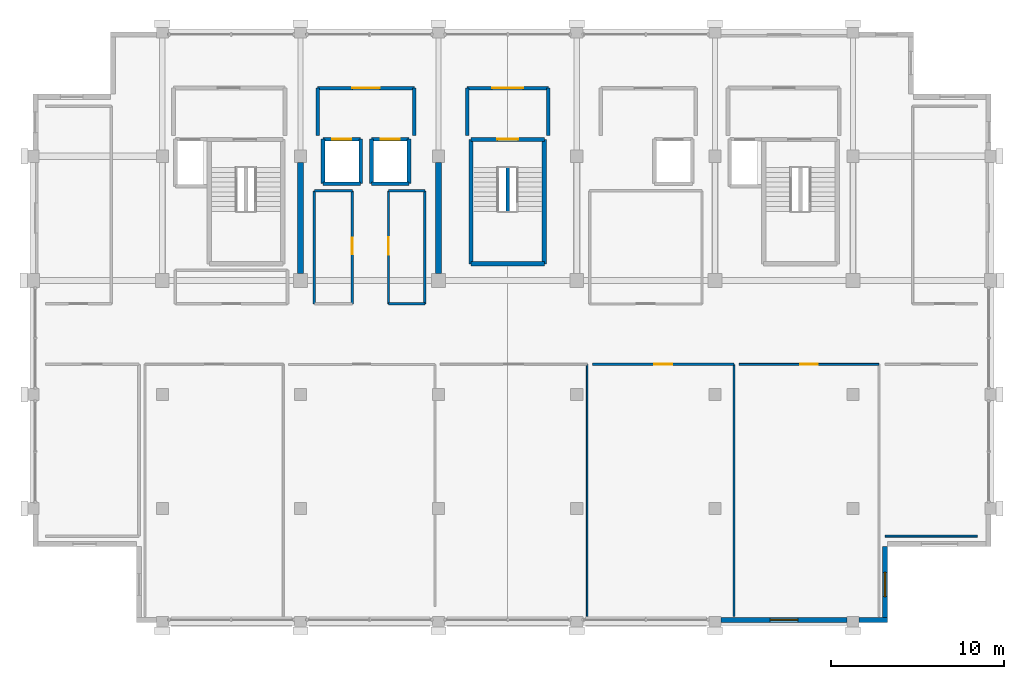
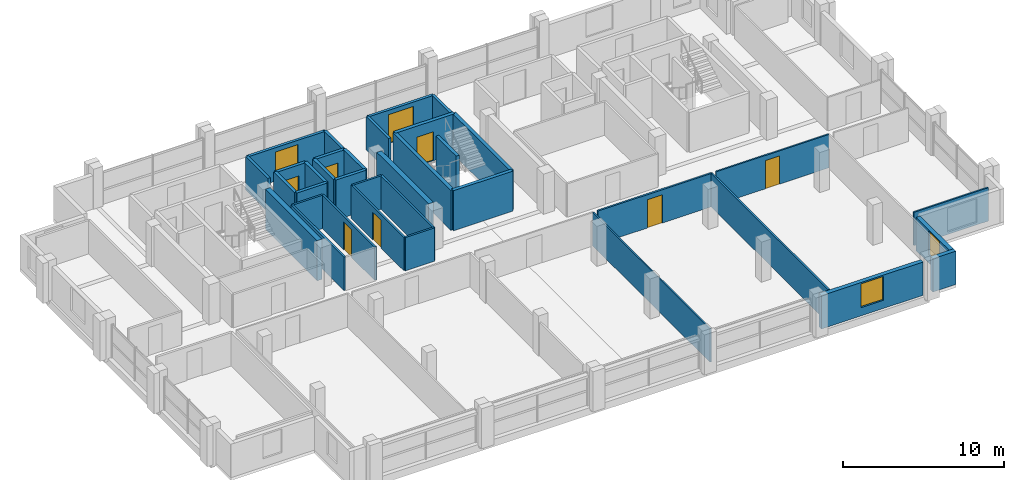
# One storey, part 21 of 24: 36 walls, 9 doors, 2 windows, 11 openings.
"""IFC4 building model written with IfcOpenShell, lengths in metres."""

from ifc_helpers import new_model, si_unit, direction, frame, frame_2d, origin, place, context, subcontext, project, spatial, rectangle, extrude, material, layer, layer_set, type_object, element, fill, save


model = new_model("IFC4")

# Units and contexts
model_context = context("Model", 3, precision=1e-05, world=origin(), true_north=direction((0.0, 1.0)))
body_context = subcontext(model_context, "Body", "Model", "MODEL_VIEW")
ifc_project = project(units=[si_unit("LENGTHUNIT", "METRE"), si_unit("AREAUNIT", "SQUARE_METRE"), si_unit("VOLUMEUNIT", "CUBIC_METRE"), si_unit("PLANEANGLEUNIT", "RADIAN"), si_unit("MASSUNIT", "GRAM", prefix="KILO")], contexts=[model_context])

# Site, building, storey
site_placement = place(None, origin())
site = spatial("IfcSite", under=ifc_project, at=site_placement, CompositionType="ELEMENT")
building_placement = place(site_placement, origin())
building = spatial("IfcBuilding", under=site, at=building_placement, Name="Akrevak Sports Hall", CompositionType="ELEMENT")
storey_placement = place(building_placement, frame((0.0, 0.0, 56.800048828125)))
storey = spatial("IfcBuildingStorey", under=building, at=storey_placement, Name="L14", CompositionType="ELEMENT", Elevation=56.800048828125)

# Wall, opening, window
ifc_material_1 = material(Name="Limestone Ashlar", Category="stone")
ifc_layer_1 = layer(ifc_material_1, 0.06005859375, Name="Limestone Ashlar")
ifc_material_2 = material(Name="Mineral Wool Thermal Insulation", Category="insulation")
ifc_layer_2 = layer(ifc_material_2, 0.090087890625, Name="Mineral Wool Thermal Insulation")
ifc_material_3 = material(Name="Concrete C40/50", Category="concrete")
ifc_layer_3 = layer(ifc_material_3, 0.14990234375, Name="Concrete C40/50")
ifc_layer_set_1 = layer_set([ifc_layer_1, ifc_layer_2, ifc_layer_3], Name="Limestone Ashlar / Mineral Wool Thermal Insulation / Concrete C40/50")
wall_type_1 = type_object("IfcWallType", Name="ARC-WL-EXT-300", PredefinedType="SOLIDWALL", material=ifc_layer_set_1)
wall_1_placement = place(storey_placement, frame((92.35009765625, 35.550048828125, 0.0), z_axis=(0.0, 0.0, 1.0), x_axis=(1.0, 0.0, 0.0)))
wall_1 = element("IfcWall", 1, at=wall_1_placement, inside=storey, type_object=wall_type_1, Name="Tower Stone Facade Wall L14-S06", PredefinedType="SOLIDWALL", context=body_context, shape_type="SweptSolid", body=[
    extrude(rectangle(XDim=7.2998046875, YDim=0.300048828125, at=frame_2d((3.64990234375, 0.0))), origin(), (0.0, 0.0, 1.0), 2.530029296875),
])
opening_1_placement = place(wall_1_placement, frame((2.85009765625, 0.0, 0.6201171875)))
opening_1 = element("IfcOpeningElement", 2, at=opening_1_placement, cuts=wall_1, Name="Opening WN-57", PredefinedType="OPENING", context=body_context, shape_type="SweptSolid", body=[
    extrude(rectangle(XDim=1.60009765625, YDim=1.81005859375, at=frame_2d((0.800048828125, 0.905029296875))), frame((0.0, 0.162109375, 0.0), z_axis=(0.0, -1.0, 0.0), x_axis=(1.0, 0.0, 0.0)), (0.0, 0.0, 1.0), 0.323974609375),
])
ifc_material_4 = material(Name="Thermally Broken Bronze Frame & Double Low-E Glass", Category="glass")
window_type_1 = type_object("IfcWindowType", Name="ARC-WIN-SZ-1600x1810", PartitioningType="SINGLE_PANEL", PredefinedType="WINDOW", material=ifc_material_4)
window_1_placement = place(opening_1_placement, origin())
window_1 = element("IfcWindow", 3, at=window_1_placement, inside=storey, type_object=window_type_1, Name="Tower Window L14-S06", OverallHeight=1.81005859375, OverallWidth=1.60009765625, PartitioningType="SINGLE_PANEL", PredefinedType="WINDOW", context=body_context, shape_type="SweptSolid", body=[
    extrude(rectangle(XDim=1.60009765625, YDim=1.81005859375, at=frame_2d((0.800048828125, 0.905029296875))), frame((0.0, 0.030029296875, 0.0), z_axis=(0.0, -1.0, 0.0), x_axis=(1.0, 0.0, 0.0)), (0.0, 0.0, 1.0), 0.06005859375),
])
fill(opening_1, window_1)

# Wall
wall_2_placement = place(storey_placement, frame((100.35009765625, 35.550048828125, 0.0), z_axis=(0.0, 0.0, 1.0), x_axis=(1.0, 0.0, 0.0)))
element("IfcWall", 4, at=wall_2_placement, inside=storey, type_object=wall_type_1, Name="Tower Stone Facade Wall L14-S07", PredefinedType="SOLIDWALL", context=body_context, shape_type="SweptSolid", body=[
    extrude(rectangle(XDim=1.64990234375, YDim=0.300048828125, at=frame_2d((0.824951171875, 0.0))), origin(), (0.0, 0.0, 1.0), 2.530029296875),
])

# Wall, opening, window
wall_3_placement = place(storey_placement, frame((101.85009765625, 35.39990234375, 0.0), z_axis=(0.0, 0.0, 1.0), x_axis=(0.0, 1.0, 0.0)))
wall_3 = element("IfcWall", 5, at=wall_3_placement, inside=storey, type_object=wall_type_1, Name="Tower Stone Facade Wall L14-E08", PredefinedType="SOLIDWALL", context=body_context, shape_type="SweptSolid", body=[
    extrude(rectangle(XDim=4.400146484375, YDim=0.300048828125, at=frame_2d((2.2001953125, 0.0))), origin(), (0.0, 0.0, 1.0), 2.530029296875),
])
opening_2_placement = place(wall_3_placement, frame((1.5, 0.0, 0.6201171875)))
opening_2 = element("IfcOpeningElement", 6, at=opening_2_placement, cuts=wall_3, Name="Opening WN-49", PredefinedType="OPENING", context=body_context, shape_type="SweptSolid", body=[
    extrude(rectangle(XDim=1.39990234375, YDim=1.81005859375, at=frame_2d((0.699951171875, 0.905029296875))), frame((0.0, 0.162109375, 0.0), z_axis=(0.0, -1.0, 0.0), x_axis=(1.0, 0.0, 0.0)), (0.0, 0.0, 1.0), 0.323974609375),
])
window_type_2 = type_object("IfcWindowType", Name="ARC-WIN-SZ-1400x1810", PartitioningType="SINGLE_PANEL", PredefinedType="WINDOW", material=ifc_material_4)
window_2_placement = place(opening_2_placement, origin())
window_2 = element("IfcWindow", 7, at=window_2_placement, inside=storey, type_object=window_type_2, Name="Tower Window L14-E08", OverallHeight=1.81005859375, OverallWidth=1.39990234375, PartitioningType="SINGLE_PANEL", PredefinedType="WINDOW", context=body_context, shape_type="SweptSolid", body=[
    extrude(rectangle(XDim=1.39990234375, YDim=1.81005859375, at=frame_2d((0.699951171875, 0.905029296875))), frame((0.0, 0.030029296875, 0.0), z_axis=(0.0, -1.0, 0.0), x_axis=(1.0, 0.0, 0.0)), (0.0, 0.0, 1.0), 0.06005859375),
])
fill(opening_2, window_2)

# Wall
ifc_material_5 = material(Name="Sanitary Cubicle Partition", Category="gypsum")
ifc_layer_4 = layer(ifc_material_5, 0.10009765625, Name="Sanitary Cubicle Partition")
ifc_layer_set_2 = layer_set([ifc_layer_4], Name="Sanitary Cubicle Partition")
wall_type_2 = type_object("IfcWallType", Name="ARC-WL-PRT-100", PredefinedType="PARTITIONING", material=ifc_layer_set_2)
wall_4_placement = place(storey_placement, frame((84.60009765625, 35.75, 0.0), z_axis=(0.0, 0.0, 1.0), x_axis=(0.0, 1.0, 0.0)))
element("IfcWall", 8, at=wall_4_placement, inside=storey, type_object=wall_type_2, Name="Interior Partition Youth Sports Development Academy (L14) (E)", PredefinedType="PARTITIONING", context=body_context, shape_type="SweptSolid", body=[
    extrude(rectangle(XDim=14.60009765625, YDim=0.10009765625, at=frame_2d((7.300048828125, 0.0))), origin(), (0.0, 0.0, 1.0), 2.530029296875),
])

# Wall, opening, door
ifc_material_6 = material(Name="Lightweight Office Partition", Category="gypsum")
ifc_layer_5 = layer(ifc_material_6, 0.110107421875, Name="Lightweight Office Partition")
ifc_layer_set_3 = layer_set([ifc_layer_5], Name="Lightweight Office Partition")
wall_type_3 = type_object("IfcWallType", Name="ARC-WL-PRT-110", PredefinedType="PARTITIONING", material=ifc_layer_set_3)
wall_5_placement = place(storey_placement, frame((93.39990234375, 50.35009765625, 0.0), z_axis=(0.0, 0.0, 1.0), x_axis=(1.0, 0.0, 0.0)))
wall_5 = element("IfcWall", 9, at=wall_5_placement, inside=storey, type_object=wall_type_3, Name="Interior Partition Disciplinary Tribunal Chamber (L14) (N)", PredefinedType="PARTITIONING", context=body_context, shape_type="SweptSolid", body=[
    extrude(rectangle(XDim=8.10009765625, YDim=0.110107421875, at=frame_2d((4.050048828125, 0.0))), origin(), (0.0, 0.0, 1.0), 2.530029296875),
])
opening_3_placement = place(wall_5_placement, frame((3.550048828125, 0.0, 0.0)))
opening_3 = element("IfcOpeningElement", 10, at=opening_3_placement, cuts=wall_5, Name="Opening ID-06", PredefinedType="OPENING", context=body_context, shape_type="SweptSolid", body=[
    extrude(rectangle(XDim=1.0, YDim=2.14990234375, at=frame_2d((0.5, 1.074951171875))), frame((0.0, 0.06689453125, 0.0), z_axis=(0.0, -1.0, 0.0), x_axis=(1.0, 0.0, 0.0)), (0.0, 0.0, 1.0), 0.134033203125),
])
ifc_material_7 = material(Name="Hardwood Oak Acoustic Leaf", Category="wood")
door_type_1 = type_object("IfcDoorType", Name="ARC-DR-OFF-100x215", OperationType="NOTDEFINED", PredefinedType="DOOR", material=ifc_material_7)
door_1_placement = place(opening_3_placement, origin())
door_1 = element("IfcDoor", 11, at=door_1_placement, inside=storey, type_object=door_type_1, Name="Door to Disciplinary Tribunal Chamber (L14)", OperationType="SINGLE_SWING_LEFT", OverallHeight=2.14990234375, OverallWidth=1.0, PredefinedType="DOOR", context=body_context, shape_type="SweptSolid", body=[
    extrude(rectangle(XDim=1.0, YDim=2.14990234375, at=frame_2d((0.5, 1.074951171875))), frame((0.0, 0.02490234375, 0.0), z_axis=(0.0, -1.0, 0.0), x_axis=(1.0, 0.0, 0.0)), (0.0, 0.0, 1.0), 0.050048828125),
])
fill(opening_3, door_1)

# Wall
wall_6_placement = place(storey_placement, frame((101.85009765625, 40.39990234375, 0.0), z_axis=(0.0, 0.0, 1.0), x_axis=(1.0, 0.0, 0.0)))
element("IfcWall", 12, at=wall_6_placement, inside=storey, type_object=wall_type_3, Name="Interior Partition Athletic Compliance Office East (L14) (S)", PredefinedType="PARTITIONING", context=body_context, shape_type="SweptSolid", body=[
    extrude(rectangle(XDim=5.349853515625, YDim=0.110107421875, at=frame_2d((2.6748046875, 0.0))), origin(), (0.0, 0.0, 1.0), 2.530029296875),
])

# Wall, opening, door
ifc_material_8 = material(Name="Acoustic Metal Stud Partition", Category="gypsum")
ifc_layer_6 = layer(ifc_material_8, 0.1298828125, Name="Acoustic Metal Stud Partition")
ifc_layer_set_4 = layer_set([ifc_layer_6], Name="Acoustic Metal Stud Partition")
wall_type_4 = type_object("IfcWallType", Name="ARC-WL-PRT-130", PredefinedType="PARTITIONING", material=ifc_layer_set_4)
wall_7_placement = place(storey_placement, frame((84.89990234375, 50.35009765625, 0.0), z_axis=(0.0, 0.0, 1.0), x_axis=(1.0, 0.0, 0.0)))
wall_7 = element("IfcWall", 13, at=wall_7_placement, inside=storey, type_object=wall_type_4, Name="Interior Partition Coaching Certification Classroom (L14) (N)", PredefinedType="PARTITIONING", context=body_context, shape_type="SweptSolid", body=[
    extrude(rectangle(XDim=8.2001953125, YDim=0.1298828125, at=frame_2d((4.10009765625, 0.0))), origin(), (0.0, 0.0, 1.0), 2.530029296875),
])
opening_4_placement = place(wall_7_placement, frame((3.574951171875, 0.0, 0.0)))
opening_4 = element("IfcOpeningElement", 14, at=opening_4_placement, cuts=wall_7, Name="Opening ID-05", PredefinedType="OPENING", context=body_context, shape_type="SweptSolid", body=[
    extrude(rectangle(XDim=1.050048828125, YDim=2.14990234375, at=frame_2d((0.52490234375, 1.074951171875))), frame((0.0, 0.076904296875, 0.0), z_axis=(0.0, -1.0, 0.0), x_axis=(1.0, 0.0, 0.0)), (0.0, 0.0, 1.0), 0.15380859375),
])
door_type_2 = type_object("IfcDoorType", Name="ARC-DR-OFF-105x215", OperationType="NOTDEFINED", PredefinedType="DOOR", material=ifc_material_7)
door_2_placement = place(opening_4_placement, origin())
door_2 = element("IfcDoor", 15, at=door_2_placement, inside=storey, type_object=door_type_2, Name="Door to Coaching Certification Classroom (L14)", OperationType="SINGLE_SWING_RIGHT", OverallHeight=2.14990234375, OverallWidth=1.050048828125, PredefinedType="DOOR", context=body_context, shape_type="SweptSolid", body=[
    extrude(rectangle(XDim=1.050048828125, YDim=2.14990234375, at=frame_2d((0.52490234375, 1.074951171875))), frame((0.0, 0.02490234375, 0.0), z_axis=(0.0, -1.0, 0.0), x_axis=(1.0, 0.0, 0.0)), (0.0, 0.0, 1.0), 0.050048828125),
])
fill(opening_4, door_2)

# Walls
wall_8_placement = place(storey_placement, frame((93.10009765625, 35.75, 0.0), z_axis=(0.0, 0.0, 1.0), x_axis=(0.0, 1.0, 0.0)))
element("IfcWall", 16, at=wall_8_placement, inside=storey, type_object=wall_type_4, Name="Interior Partition Coaching Certification Classroom (L14) (E)", PredefinedType="PARTITIONING", context=body_context, shape_type="SweptSolid", body=[
    extrude(rectangle(XDim=14.60009765625, YDim=0.1298828125, at=frame_2d((7.300048828125, 0.0))), origin(), (0.0, 0.0, 1.0), 2.530029296875),
])
ifc_material_9 = material(Name="Moisture-Resistant Wet-Area Partition", Category="gypsum")
ifc_layer_7 = layer(ifc_material_9, 0.139892578125, Name="Moisture-Resistant Wet-Area Partition")
ifc_layer_set_5 = layer_set([ifc_layer_7], Name="Moisture-Resistant Wet-Area Partition")
wall_type_5 = type_object("IfcWallType", Name="ARC-WL-PRT-140", PredefinedType="PARTITIONING", material=ifc_layer_set_5)
wall_9_placement = place(storey_placement, frame((68.800048828125, 60.39990234375, 0.0), z_axis=(0.0, 0.0, 1.0), x_axis=(1.0, 0.0, 0.0)))
element("IfcWall", 17, at=wall_9_placement, inside=storey, type_object=wall_type_5, Name="Interior Partition Staff WC L14 (N)", PredefinedType="PARTITIONING", context=body_context, shape_type="SweptSolid", body=[
    extrude(rectangle(XDim=2.199951171875, YDim=0.139892578125, at=frame_2d((1.10009765625, 0.0))), origin(), (0.0, 0.0, 1.0), 2.530029296875),
])
wall_10_placement = place(storey_placement, frame((68.800048828125, 53.85009765625, 0.0), z_axis=(0.0, 0.0, 1.0), x_axis=(0.0, 1.0, 0.0)))
element("IfcWall", 18, at=wall_10_placement, inside=storey, type_object=wall_type_5, Name="Interior Partition Staff WC L14 (W)", PredefinedType="PARTITIONING", context=body_context, shape_type="SweptSolid", body=[
    extrude(rectangle(XDim=6.5498046875, YDim=0.139892578125, at=frame_2d((3.27490234375, 0.0))), origin(), (0.0, 0.0, 1.0), 2.530029296875),
])

# Wall, opening, door
wall_11_placement = place(storey_placement, frame((71.0, 53.85009765625, 0.0), z_axis=(0.0, 0.0, 1.0), x_axis=(0.0, 1.0, 0.0)))
wall_11 = element("IfcWall", 19, at=wall_11_placement, inside=storey, type_object=wall_type_5, Name="Interior Partition Staff WC L14 (E)", PredefinedType="PARTITIONING", context=body_context, shape_type="SweptSolid", body=[
    extrude(rectangle(XDim=6.5498046875, YDim=0.139892578125, at=frame_2d((3.27490234375, 0.0))), origin(), (0.0, 0.0, 1.0), 2.530029296875),
])
opening_5_placement = place(wall_11_placement, frame((2.875, 0.0, 0.0)))
opening_5 = element("IfcOpeningElement", 20, at=opening_5_placement, cuts=wall_11, Name="Opening ID-08", PredefinedType="OPENING", context=body_context, shape_type="SweptSolid", body=[
    extrude(rectangle(XDim=0.949951171875, YDim=2.10009765625, at=frame_2d((0.47509765625, 1.050048828125))), frame((0.0, 0.08203125, 0.0), z_axis=(0.0, -1.0, 0.0), x_axis=(1.0, 0.0, 0.0)), (0.0, 0.0, 1.0), 0.163818359375),
])
ifc_material_10 = material(Name="High-Pressure Laminate & Aluminium", Category="aluminium")
door_type_3 = type_object("IfcDoorType", Name="ARC-DR-WC-095x210", OperationType="NOTDEFINED", PredefinedType="DOOR", material=ifc_material_10)
door_3_placement = place(opening_5_placement, origin())
door_3 = element("IfcDoor", 21, at=door_3_placement, inside=storey, type_object=door_type_3, Name="Door to Staff WC L14", OperationType="SINGLE_SWING_LEFT", OverallHeight=2.10009765625, OverallWidth=0.949951171875, PredefinedType="DOOR", context=body_context, shape_type="SweptSolid", body=[
    extrude(rectangle(XDim=0.949951171875, YDim=2.10009765625, at=frame_2d((0.47509765625, 1.050048828125))), frame((0.0, 0.02490234375, 0.0), z_axis=(0.0, -1.0, 0.0), x_axis=(1.0, 0.0, 0.0)), (0.0, 0.0, 1.0), 0.050048828125),
])
fill(opening_5, door_3)

# Walls
for number, where, z_axis, x_axis, name in (
    (22, (73.10009765625, 53.85009765625, 0.0), (0.0, 0.0, 1.0), (1.0, 0.0, 0.0), "Interior Partition Accessible WC & Shower L14 (S)"),
    (23, (73.10009765625, 60.39990234375, 0.0), (0.0, 0.0, 1.0), (1.0, 0.0, 0.0), "Interior Partition Accessible WC & Shower L14 (N)"),
):
    element("IfcWall", number, at=place(storey_placement, frame(where, z_axis=z_axis, x_axis=x_axis)), inside=storey, type_object=wall_type_5, Name=name, PredefinedType="PARTITIONING", context=body_context, shape_type="SweptSolid", body=[
        extrude(rectangle(XDim=2.099853515625, YDim=0.139892578125, at=frame_2d((1.0498046875, 0.0))), origin(), (0.0, 0.0, 1.0), 2.530029296875),
    ])

# Wall, opening, door
wall_12_placement = place(storey_placement, frame((73.10009765625, 53.85009765625, 0.0), z_axis=(0.0, 0.0, 1.0), x_axis=(0.0, 1.0, 0.0)))
wall_12 = element("IfcWall", 24, at=wall_12_placement, inside=storey, type_object=wall_type_5, Name="Interior Partition Accessible WC & Shower L14 (W)", PredefinedType="PARTITIONING", context=body_context, shape_type="SweptSolid", body=[
    extrude(rectangle(XDim=6.5498046875, YDim=0.139892578125, at=frame_2d((3.27490234375, 0.0))), origin(), (0.0, 0.0, 1.0), 2.530029296875),
])
opening_6_placement = place(wall_12_placement, frame((2.840087890625, 0.0, 0.0)))
opening_6 = element("IfcOpeningElement", 25, at=opening_6_placement, cuts=wall_12, Name="Opening ID-09", PredefinedType="OPENING", context=body_context, shape_type="SweptSolid", body=[
    extrude(rectangle(XDim=1.02001953125, YDim=2.10009765625, at=frame_2d((0.510009765625, 1.050048828125))), frame((0.0, 0.08203125, 0.0), z_axis=(0.0, -1.0, 0.0), x_axis=(1.0, 0.0, 0.0)), (0.0, 0.0, 1.0), 0.163818359375),
])
door_type_4 = type_object("IfcDoorType", Name="ARC-DR-AWC-102x210", OperationType="NOTDEFINED", PredefinedType="DOOR", material=ifc_material_10)
door_4_placement = place(opening_6_placement, frame((1.02001953125, 0.0, 0.0), z_axis=(0.0, 0.0, 1.0), x_axis=(-1.0, 0.0, 0.0)))
door_4 = element("IfcDoor", 26, at=door_4_placement, inside=storey, type_object=door_type_4, Name="Door to Accessible WC & Shower L14", OperationType="SINGLE_SWING_RIGHT", OverallHeight=2.10009765625, OverallWidth=1.02001953125, PredefinedType="DOOR", context=body_context, shape_type="SweptSolid", body=[
    extrude(rectangle(XDim=1.02001953125, YDim=2.10009765625, at=frame_2d((0.510009765625, 1.050048828125))), frame((0.0, 0.02490234375, 0.0), z_axis=(0.0, -1.0, 0.0), x_axis=(1.0, 0.0, 0.0)), (0.0, 0.0, 1.0), 0.050048828125),
])
fill(opening_6, door_4)

# Wall
wall_13_placement = place(storey_placement, frame((75.199951171875, 53.85009765625, 0.0), z_axis=(0.0, 0.0, 1.0), x_axis=(0.0, 1.0, 0.0)))
element("IfcWall", 27, at=wall_13_placement, inside=storey, type_object=wall_type_5, Name="Interior Partition Accessible WC & Shower L14 (E)", PredefinedType="PARTITIONING", context=body_context, shape_type="SweptSolid", body=[
    extrude(rectangle(XDim=6.5498046875, YDim=0.139892578125, at=frame_2d((3.27490234375, 0.0))), origin(), (0.0, 0.0, 1.0), 2.530029296875),
])

# Wall, opening, door
ifc_material_11 = material(Name="Autoclaved Aerated Masonry Block", Category="masonry")
ifc_layer_8 = layer(ifc_material_11, 0.199951171875, Name="Autoclaved Aerated Masonry Block")
ifc_layer_set_6 = layer_set([ifc_layer_8], Name="Autoclaved Aerated Masonry Block")
wall_type_6 = type_object("IfcWallType", Name="ARC-WL-PRT-200", PredefinedType="PARTITIONING", material=ifc_layer_set_6)
wall_14_placement = place(storey_placement, frame((69.0, 66.35009765625, 0.0), z_axis=(0.0, 0.0, 1.0), x_axis=(1.0, 0.0, 0.0)))
wall_14 = element("IfcWall", 28, at=wall_14_placement, inside=storey, type_object=wall_type_6, Name="Interior Partition West Passenger Lift Lobby L14 (N)", PredefinedType="PARTITIONING", context=body_context, shape_type="SweptSolid", body=[
    extrude(rectangle(XDim=5.60009765625, YDim=0.199951171875, at=frame_2d((2.800048828125, 0.0))), origin(), (0.0, 0.0, 1.0), 2.530029296875),
])
opening_7_placement = place(wall_14_placement, frame((2.0, 0.0, 0.0)))
opening_7 = element("IfcOpeningElement", 29, at=opening_7_placement, cuts=wall_14, Name="Opening ID-03", PredefinedType="OPENING", context=body_context, shape_type="SweptSolid", body=[
    extrude(rectangle(XDim=1.60009765625, YDim=2.199951171875, at=frame_2d((0.800048828125, 1.10009765625))), frame((0.0, 0.11181640625, 0.0), z_axis=(0.0, -1.0, 0.0), x_axis=(1.0, 0.0, 0.0)), (0.0, 0.0, 1.0), 0.223876953125),
])
ifc_material_12 = material(Name="Hardwood Oak & Safety Glass", Category="wood")
door_type_5 = type_object("IfcDoorType", Name="ARC-DR-HALL-160x220", OperationType="DOUBLE_DOOR_SINGLE_SWING", PredefinedType="DOOR", material=ifc_material_12)
door_5_placement = place(opening_7_placement, origin())
door_5 = element("IfcDoor", 30, at=door_5_placement, inside=storey, type_object=door_type_5, Name="Door to West Passenger Lift Lobby L14", OperationType="DOUBLE_DOOR_SINGLE_SWING", OverallHeight=2.199951171875, OverallWidth=1.60009765625, PredefinedType="DOOR", context=body_context, shape_type="SweptSolid", body=[
    extrude(rectangle(XDim=1.60009765625, YDim=2.199951171875, at=frame_2d((0.800048828125, 1.10009765625))), frame((0.0, 0.02490234375, 0.0), z_axis=(0.0, -1.0, 0.0), x_axis=(1.0, 0.0, 0.0)), (0.0, 0.0, 1.0), 0.050048828125),
])
fill(opening_7, door_5)

# Walls
for number, where, z_axis, x_axis, name in (
    (31, (69.0, 63.60009765625, 0.0), (0.0, 0.0, 1.0), (0.0, 1.0, 0.0), "Interior Partition West Passenger Lift Lobby L14 (W)"),
    (32, (74.60009765625, 63.60009765625, 0.0), (0.0, 0.0, 1.0), (0.0, 1.0, 0.0), "Interior Partition West Passenger Lift Lobby L14 (E)"),
):
    element("IfcWall", number, at=place(storey_placement, frame(where, z_axis=z_axis, x_axis=x_axis)), inside=storey, type_object=wall_type_6, Name=name, PredefinedType="PARTITIONING", context=body_context, shape_type="SweptSolid", body=[
        extrude(rectangle(XDim=2.75, YDim=0.199951171875, at=frame_2d((1.375, 0.0))), origin(), (0.0, 0.0, 1.0), 2.530029296875),
    ])

# Wall, opening, door
wall_15_placement = place(storey_placement, frame((77.64990234375, 66.35009765625, 0.0), z_axis=(0.0, 0.0, 1.0), x_axis=(1.0, 0.0, 0.0)))
wall_15 = element("IfcWall", 33, at=wall_15_placement, inside=storey, type_object=wall_type_6, Name="Interior Partition Central Stair ST3 Vestibule L14 (N)", PredefinedType="PARTITIONING", context=body_context, shape_type="SweptSolid", body=[
    extrude(rectangle(XDim=4.7001953125, YDim=0.199951171875, at=frame_2d((2.35009765625, 0.0))), origin(), (0.0, 0.0, 1.0), 2.530029296875),
])
opening_8_placement = place(wall_15_placement, frame((1.449951171875, 0.0, 0.0)))
opening_8 = element("IfcOpeningElement", 34, at=opening_8_placement, cuts=wall_15, Name="Opening FD-02", PredefinedType="OPENING", context=body_context, shape_type="SweptSolid", body=[
    extrude(rectangle(XDim=1.800048828125, YDim=2.199951171875, at=frame_2d((0.89990234375, 1.10009765625))), frame((0.0, 0.11181640625, 0.0), z_axis=(0.0, -1.0, 0.0), x_axis=(1.0, 0.0, 0.0)), (0.0, 0.0, 1.0), 0.223876953125),
])
ifc_material_13 = material(Name="Fire-Rated Galvanized Door Steel", Category="steel")
door_type_6 = type_object("IfcDoorType", Name="ARC-DR-FIRE-180x220", OperationType="DOUBLE_DOOR_SINGLE_SWING", PredefinedType="DOOR", material=ifc_material_13)
door_6_placement = place(opening_8_placement, frame((1.800048828125, 0.0, 0.0), z_axis=(0.0, 0.0, 1.0), x_axis=(-1.0, 0.0, 0.0)))
door_6 = element("IfcDoor", 35, at=door_6_placement, inside=storey, type_object=door_type_6, Name="Door to Central Stair ST3 Vestibule L14", OperationType="DOUBLE_DOOR_SINGLE_SWING", OverallHeight=2.199951171875, OverallWidth=1.800048828125, PredefinedType="DOOR", context=body_context, shape_type="SweptSolid", body=[
    extrude(rectangle(XDim=1.800048828125, YDim=2.199951171875, at=frame_2d((0.89990234375, 1.10009765625))), frame((0.0, 0.02490234375, 0.0), z_axis=(0.0, -1.0, 0.0), x_axis=(1.0, 0.0, 0.0)), (0.0, 0.0, 1.0), 0.050048828125),
])
fill(opening_8, door_6)

# Walls
for number, where, z_axis, x_axis, name in (
    (36, (77.64990234375, 63.60009765625, 0.0), (0.0, 0.0, 1.0), (0.0, 1.0, 0.0), "Interior Partition Central Stair ST3 Vestibule L14 (W)"),
    (37, (82.35009765625, 63.60009765625, 0.0), (0.0, 0.0, 1.0), (0.0, 1.0, 0.0), "Interior Partition Central Stair ST3 Vestibule L14 (E)"),
):
    element("IfcWall", number, at=place(storey_placement, frame(where, z_axis=z_axis, x_axis=x_axis)), inside=storey, type_object=wall_type_6, Name=name, PredefinedType="PARTITIONING", context=body_context, shape_type="SweptSolid", body=[
        extrude(rectangle(XDim=2.75, YDim=0.199951171875, at=frame_2d((1.375, 0.0))), origin(), (0.0, 0.0, 1.0), 2.530029296875),
    ])
ifc_layer_9 = layer(ifc_material_3, 0.219970703125, Name="Concrete C40/50")
ifc_layer_set_7 = layer_set([ifc_layer_9], Name="Concrete C40/50")
wall_type_7 = type_object("IfcWallType", Name="ARC-WL-PRT-220", PredefinedType="PARTITIONING", material=ifc_layer_set_7)
wall_16_placement = place(storey_placement, frame((80.0, 59.215087890625, 0.0), z_axis=(0.0, 0.0, 1.0), x_axis=(0.0, 1.0, 0.0)))
element("IfcWall", 38, at=wall_16_placement, inside=storey, type_object=wall_type_7, Name="Stair ST3 Central Spine Wall (L14)", PredefinedType="PARTITIONING", context=body_context, shape_type="SweptSolid", body=[
    extrude(rectangle(XDim=2.52001953125, YDim=0.219970703125, at=frame_2d((1.260009765625, 0.0))), origin(), (0.0, 0.0, 1.0), 3.0400390625),
])
ifc_material_14 = material(Name="Concrete C50/60", Category="concrete")
ifc_layer_10 = layer(ifc_material_14, 0.219970703125, Name="Concrete C50/60")
ifc_layer_set_8 = layer_set([ifc_layer_10], Name="Concrete C50/60")
wall_type_8 = type_object("IfcWallType", Name="ARC-WL-SHAFT-220", PredefinedType="SHEAR", material=ifc_layer_set_8)
wall_17_placement = place(storey_placement, frame((69.31005859375, 60.81005859375, 0.0), z_axis=(0.0, 0.0, 1.0), x_axis=(1.0, 0.0, 0.0)))
element("IfcWall", 39, at=wall_17_placement, inside=storey, type_object=wall_type_8, Name="Lift Shaft LF-P1 Wall S (L14)", PredefinedType="SHEAR", context=body_context, shape_type="SweptSolid", body=[
    extrude(rectangle(XDim=2.179931640625, YDim=0.219970703125, at=frame_2d((1.08984375, 0.0))), origin(), (0.0, 0.0, 1.0), 3.0400390625),
])

# Wall, opening, door
wall_18_placement = place(storey_placement, frame((71.489990234375, 63.389892578125, 0.0), z_axis=(0.0, 0.0, 1.0), x_axis=(-1.0, 0.0, 0.0)))
wall_18 = element("IfcWall", 40, at=wall_18_placement, inside=storey, type_object=wall_type_8, Name="Lift Shaft LF-P1 Wall N (L14)", PredefinedType="SHEAR", context=body_context, shape_type="SweptSolid", body=[
    extrude(rectangle(XDim=2.179931640625, YDim=0.219970703125, at=frame_2d((1.08984375, 0.0))), origin(), (0.0, 0.0, 1.0), 3.0400390625),
])
opening_9_placement = place(wall_18_placement, frame((0.5400390625, 0.0, 0.0)))
opening_9 = element("IfcOpeningElement", 41, at=opening_9_placement, cuts=wall_18, Name="Opening LD-01", PredefinedType="OPENING", context=body_context, shape_type="SweptSolid", body=[
    extrude(rectangle(XDim=1.10009765625, YDim=2.199951171875, at=frame_2d((0.550048828125, 1.10009765625))), frame((0.0, 0.1220703125, 0.0), z_axis=(0.0, -1.0, 0.0), x_axis=(1.0, 0.0, 0.0)), (0.0, 0.0, 1.0), 0.243896484375),
])
ifc_material_15 = material(Name="Brushed Stainless Steel 304", Category="steel")
door_type_7 = type_object("IfcDoorType", Name="ARC-DR-LD-110x220", OperationType="SLIDING_TO_LEFT", PredefinedType="DOOR", material=ifc_material_15)
door_7_placement = place(opening_9_placement, origin())
door_7 = element("IfcDoor", 42, at=door_7_placement, inside=storey, type_object=door_type_7, Name="Lift LF-P1 Sliding Landing Door (L14)", OperationType="SLIDING_TO_LEFT", OverallHeight=2.199951171875, OverallWidth=1.10009765625, PredefinedType="DOOR", context=body_context, shape_type="SweptSolid", body=[
    extrude(rectangle(XDim=1.10009765625, YDim=2.199951171875, at=frame_2d((0.550048828125, 1.10009765625))), frame((0.0, 0.02490234375, 0.0), z_axis=(0.0, -1.0, 0.0), x_axis=(1.0, 0.0, 0.0)), (0.0, 0.0, 1.0), 0.050048828125),
])
fill(opening_9, door_7)

# Walls
for number, where, z_axis, x_axis, name in (
    (43, (69.31005859375, 63.389892578125, 0.0), (0.0, 0.0, 1.0), (0.0, -1.0, 0.0), "Lift Shaft LF-P1 Wall W (L14)"),
    (44, (71.489990234375, 60.81005859375, 0.0), (0.0, 0.0, 1.0), (0.0, 1.0, 0.0), "Lift Shaft LF-P1 Wall E (L14)"),
):
    element("IfcWall", number, at=place(storey_placement, frame(where, z_axis=z_axis, x_axis=x_axis)), inside=storey, type_object=wall_type_8, Name=name, PredefinedType="SHEAR", context=body_context, shape_type="SweptSolid", body=[
        extrude(rectangle(XDim=2.579833984375, YDim=0.219970703125, at=frame_2d((1.2900390625, 0.0))), origin(), (0.0, 0.0, 1.0), 3.0400390625),
    ])
wall_19_placement = place(storey_placement, frame((72.110107421875, 60.81005859375, 0.0), z_axis=(0.0, 0.0, 1.0), x_axis=(1.0, 0.0, 0.0)))
element("IfcWall", 45, at=wall_19_placement, inside=storey, type_object=wall_type_8, Name="Lift Shaft LF-P2 Wall S (L14)", PredefinedType="SHEAR", context=body_context, shape_type="SweptSolid", body=[
    extrude(rectangle(XDim=2.179931640625, YDim=0.219970703125, at=frame_2d((1.08984375, 0.0))), origin(), (0.0, 0.0, 1.0), 3.0400390625),
])

# Wall, opening, door
wall_20_placement = place(storey_placement, frame((74.2900390625, 63.389892578125, 0.0), z_axis=(0.0, 0.0, 1.0), x_axis=(-1.0, 0.0, 0.0)))
wall_20 = element("IfcWall", 46, at=wall_20_placement, inside=storey, type_object=wall_type_8, Name="Lift Shaft LF-P2 Wall N (L14)", PredefinedType="SHEAR", context=body_context, shape_type="SweptSolid", body=[
    extrude(rectangle(XDim=2.179931640625, YDim=0.219970703125, at=frame_2d((1.08984375, 0.0))), origin(), (0.0, 0.0, 1.0), 3.0400390625),
])
opening_10_placement = place(wall_20_placement, frame((0.5400390625, 0.0, 0.0)))
opening_10 = element("IfcOpeningElement", 47, at=opening_10_placement, cuts=wall_20, Name="Opening LD-01", PredefinedType="OPENING", context=body_context, shape_type="SweptSolid", body=[
    extrude(rectangle(XDim=1.10009765625, YDim=2.199951171875, at=frame_2d((0.550048828125, 1.10009765625))), frame((0.0, 0.1220703125, 0.0), z_axis=(0.0, -1.0, 0.0), x_axis=(1.0, 0.0, 0.0)), (0.0, 0.0, 1.0), 0.243896484375),
])
door_8_placement = place(opening_10_placement, origin())
door_8 = element("IfcDoor", 48, at=door_8_placement, inside=storey, type_object=door_type_7, Name="Lift LF-P2 Sliding Landing Door (L14)", OperationType="SLIDING_TO_LEFT", OverallHeight=2.199951171875, OverallWidth=1.10009765625, PredefinedType="DOOR", context=body_context, shape_type="SweptSolid", body=[
    extrude(rectangle(XDim=1.10009765625, YDim=2.199951171875, at=frame_2d((0.550048828125, 1.10009765625))), frame((0.0, 0.02490234375, 0.0), z_axis=(0.0, -1.0, 0.0), x_axis=(1.0, 0.0, 0.0)), (0.0, 0.0, 1.0), 0.050048828125),
])
fill(opening_10, door_8)

# Walls
for number, where, z_axis, x_axis, name in (
    (49, (72.110107421875, 63.389892578125, 0.0), (0.0, 0.0, 1.0), (0.0, -1.0, 0.0), "Lift Shaft LF-P2 Wall W (L14)"),
    (50, (74.2900390625, 60.81005859375, 0.0), (0.0, 0.0, 1.0), (0.0, 1.0, 0.0), "Lift Shaft LF-P2 Wall E (L14)"),
):
    element("IfcWall", number, at=place(storey_placement, frame(where, z_axis=z_axis, x_axis=x_axis)), inside=storey, type_object=wall_type_8, Name=name, PredefinedType="SHEAR", context=body_context, shape_type="SweptSolid", body=[
        extrude(rectangle(XDim=2.579833984375, YDim=0.219970703125, at=frame_2d((1.2900390625, 0.0))), origin(), (0.0, 0.0, 1.0), 3.0400390625),
    ])
ifc_layer_11 = layer(ifc_material_14, 0.35009765625, Name="Concrete C50/60")
ifc_layer_set_9 = layer_set([ifc_layer_11], Name="Concrete C50/60")
wall_type_9 = type_object("IfcWallType", Name="STR-WL-CORE-350", PredefinedType="SHEAR", material=ifc_layer_set_9)
for number, where, z_axis, x_axis, name in (
    (51, (68.0, 55.60009765625, 0.0), (0.0, 0.0, 1.0), (0.0, 1.0, 0.0), "Reinforced Concrete Shear Wall SW-C1 (L14)"),
    (52, (76.0, 55.60009765625, 0.0), (0.0, 0.0, 1.0), (0.0, 1.0, 0.0), "Reinforced Concrete Shear Wall SW-W1 (L14)"),
):
    element("IfcWall", number, at=place(storey_placement, frame(where, z_axis=z_axis, x_axis=x_axis)), inside=storey, type_object=wall_type_9, Name=name, PredefinedType="SHEAR", context=body_context, shape_type="SweptSolid", body=[
        extrude(rectangle(XDim=6.449951171875, YDim=0.35009765625, at=frame_2d((3.22509765625, 0.0))), origin(), (0.0, 0.0, 1.0), 3.0400390625),
    ])
ifc_layer_12 = layer(ifc_material_14, 0.25, Name="Concrete C50/60")
ifc_layer_set_10 = layer_set([ifc_layer_12], Name="Concrete C50/60")
wall_type_10 = type_object("IfcWallType", Name="STR-WL-STAIR-250", PredefinedType="SHEAR", material=ifc_layer_set_10)
wall_21_placement = place(storey_placement, frame((77.875, 56.175048828125, 0.0), z_axis=(0.0, 0.0, 1.0), x_axis=(1.0, 0.0, 0.0)))
element("IfcWall", 53, at=wall_21_placement, inside=storey, type_object=wall_type_10, Name="Stair Core ST3 Shear Wall S (L14)", PredefinedType="SHEAR", context=body_context, shape_type="SweptSolid", body=[
    extrude(rectangle(XDim=4.25, YDim=0.25, at=frame_2d((2.125, 0.0))), origin(), (0.0, 0.0, 1.0), 3.0400390625),
])

# Wall, opening, door
wall_22_placement = place(storey_placement, frame((82.125, 63.375, 0.0), z_axis=(0.0, 0.0, 1.0), x_axis=(-1.0, 0.0, 0.0)))
wall_22 = element("IfcWall", 54, at=wall_22_placement, inside=storey, type_object=wall_type_10, Name="Stair Core ST3 Shear Wall N (L14)", PredefinedType="SHEAR", context=body_context, shape_type="SweptSolid", body=[
    extrude(rectangle(XDim=4.25, YDim=0.25, at=frame_2d((2.125, 0.0))), origin(), (0.0, 0.0, 1.0), 3.0400390625),
])
opening_11_placement = place(wall_22_placement, frame((1.52490234375, 0.0, 0.0)))
opening_11 = element("IfcOpeningElement", 55, at=opening_11_placement, cuts=wall_22, Name="Opening SD-02", PredefinedType="OPENING", context=body_context, shape_type="SweptSolid", body=[
    extrude(rectangle(XDim=1.199951171875, YDim=2.199951171875, at=frame_2d((0.60009765625, 1.10009765625))), frame((0.0, 0.136962890625, 0.0), z_axis=(0.0, -1.0, 0.0), x_axis=(1.0, 0.0, 0.0)), (0.0, 0.0, 1.0), 0.27392578125),
])
door_type_8 = type_object("IfcDoorType", Name="ARC-DR-STAIR-120x220", OperationType="NOTDEFINED", PredefinedType="DOOR", material=ifc_material_13)
door_9_placement = place(opening_11_placement, origin())
door_9 = element("IfcDoor", 56, at=door_9_placement, inside=storey, type_object=door_type_8, Name="Exit Stair ST3 Door (L14)", OperationType="SINGLE_SWING_RIGHT", OverallHeight=2.199951171875, OverallWidth=1.199951171875, PredefinedType="DOOR", context=body_context, shape_type="SweptSolid", body=[
    extrude(rectangle(XDim=1.199951171875, YDim=2.199951171875, at=frame_2d((0.60009765625, 1.10009765625))), frame((0.0, 0.02490234375, 0.0), z_axis=(0.0, -1.0, 0.0), x_axis=(1.0, 0.0, 0.0)), (0.0, 0.0, 1.0), 0.050048828125),
])
fill(opening_11, door_9)

# Walls
for number, where, z_axis, x_axis, name in (
    (57, (77.875, 63.375, 0.0), (0.0, 0.0, 1.0), (0.0, -1.0, 0.0), "Stair Core ST3 Shear Wall W (L14)"),
    (58, (82.125, 56.175048828125, 0.0), (0.0, 0.0, 1.0), (0.0, 1.0, 0.0), "Stair Core ST3 Shear Wall E (L14)"),
):
    element("IfcWall", number, at=place(storey_placement, frame(where, z_axis=z_axis, x_axis=x_axis)), inside=storey, type_object=wall_type_10, Name=name, PredefinedType="SHEAR", context=body_context, shape_type="SweptSolid", body=[
        extrude(rectangle(XDim=7.199951171875, YDim=0.25, at=frame_2d((3.60009765625, 0.0))), origin(), (0.0, 0.0, 1.0), 3.0400390625),
    ])

save(model, "model.ifc")
